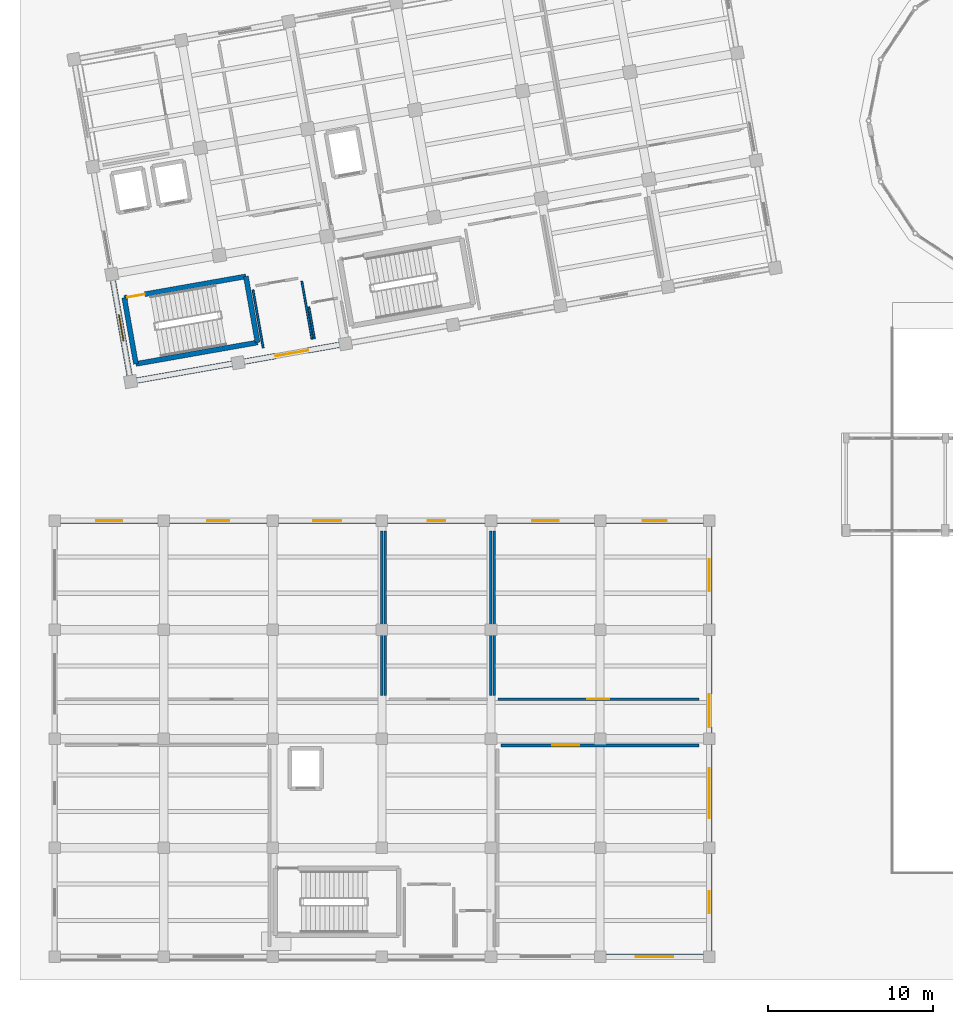
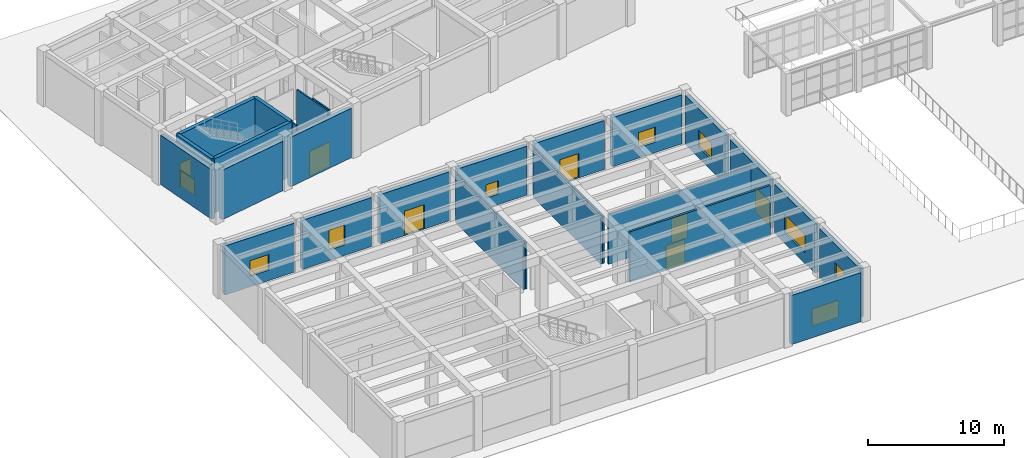
# One storey, part 42 of 57: 27 walls, 9 windows, 7 doors, 16 openings.
"""IFC4 building model written with IfcOpenShell, lengths in metres."""

from ifc_helpers import new_model, si_unit, direction, frame, frame_2d, origin, place, context, subcontext, project, spatial, rectangle, extrude, material, layer, layer_set, type_object, element, fill, save


model = new_model("IFC4")

# Units and contexts
model_context = context("Model", 3, precision=1e-05, world=origin(), true_north=direction((0.0, 1.0)))
body_context = subcontext(model_context, "Body", "Model", "MODEL_VIEW")
ifc_project = project(units=[si_unit("LENGTHUNIT", "METRE"), si_unit("AREAUNIT", "SQUARE_METRE"), si_unit("VOLUMEUNIT", "CUBIC_METRE"), si_unit("PLANEANGLEUNIT", "RADIAN"), si_unit("MASSUNIT", "GRAM", prefix="KILO")], contexts=[model_context])

# Site, building, storey
site_placement = place(None, origin())
site = spatial("IfcSite", under=ifc_project, at=site_placement, CompositionType="ELEMENT")
building_placement = place(site_placement, origin())
building = spatial("IfcBuilding", under=site, at=building_placement, Name="Kharisveld Research Institute", CompositionType="ELEMENT")
storey_placement = place(building_placement, origin())
storey = spatial("IfcBuildingStorey", under=building, at=storey_placement, Name="L00", CompositionType="ELEMENT", Elevation=0.0)

# Walls
ifc_material_1 = material(Name="Flush Pharmaceutical Panel", Category="mineral")
ifc_layer_1 = layer(ifc_material_1, 0.155029296875)
ifc_layer_set_1 = layer_set([ifc_layer_1], Name="WL_CLN_155")
wall_type_1 = type_object("IfcWallType", Name="WL_CLN_155", PredefinedType="PARTITIONING", material=ifc_layer_set_1)
for number, where, z_axis, x_axis, name in (
    (1, (20.39990234375, 16.02001953125, 0.0), (0.0, 0.0, 1.0), (0.0, 1.0, 0.0), "WL:RM:V3:L00:CR5:E"),
    (2, (27.0, 16.02001953125, 0.0), (0.0, 0.0, 1.0), (0.0, 1.0, 0.0), "WL:RM:V3:L00:GWN:E"),
    (3, (20.60009765625, 25.97998046875, 0.0), (0.0, 0.0, 1.0), (0.0, -1.0, 0.0), "WL:RM:V3:L00:GWN:W"),
):
    element("IfcWall", number, at=place(storey_placement, frame(where, z_axis=z_axis, x_axis=x_axis)), inside=storey, type_object=wall_type_1, Name=name, PredefinedType="PARTITIONING", context=body_context, shape_type="SweptSolid", body=[
        extrude(rectangle(XDim=9.9599609375, YDim=0.155029296875, at=frame_2d((4.97998046875, 0.0))), origin(), (0.0, 0.0, 1.0), 4.215087890625),
    ])

# Wall, opening, door
wall_1_placement = place(storey_placement, frame((27.419921875, 15.800048828125, 0.0), z_axis=(0.0, 0.0, 1.0), x_axis=(1.0, 0.0, 0.0)))
wall_1 = element("IfcWall", 4, at=wall_1_placement, inside=storey, type_object=wall_type_1, Name="WL:RM:V3:L00:CR6:S", PredefinedType="PARTITIONING", context=body_context, shape_type="SweptSolid", body=[
    extrude(rectangle(XDim=12.16015625, YDim=0.155029296875, at=frame_2d((6.080078125, 0.0))), origin(), (0.0, 0.0, 1.0), 4.465087890625),
])
opening_1_placement = place(wall_1_placement, frame((5.409912109375, 0.0, 0.0)))
opening_1 = element("IfcOpeningElement", 5, at=opening_1_placement, cuts=wall_1, Name="Opening DI-273", PredefinedType="OPENING", context=body_context, shape_type="SweptSolid", body=[
    extrude(rectangle(XDim=1.340087890625, YDim=2.199951171875, at=frame_2d((0.669921875, 1.10009765625))), frame((0.0, 0.07763671875, 0.0), z_axis=(0.0, -1.0, 0.0), x_axis=(1.0, 0.0, 0.0)), (0.0, 0.0, 1.0), 0.155029296875),
])
ifc_material_2 = material(Name="Flush Painted Hardwood and Anodised Aluminium", Category="wood")
door_type_1 = type_object("IfcDoorType", Name="DR_CLN_134", OperationType="SLIDING_TO_RIGHT", PredefinedType="DOOR", material=ifc_material_2)
door_1_placement = place(opening_1_placement, origin())
door_1 = element("IfcDoor", 6, at=door_1_placement, inside=storey, type_object=door_type_1, Name="DR:RM:V3:L00:CR6:S", OperationType="SLIDING_TO_RIGHT", OverallHeight=2.199951171875, OverallWidth=1.340087890625, PredefinedType="DOOR", context=body_context, shape_type="SweptSolid", body=[
    extrude(rectangle(XDim=1.340087890625, YDim=2.199951171875, at=frame_2d((0.669921875, 1.10009765625))), frame((0.0, 0.02490234375, 0.0), z_axis=(0.0, -1.0, 0.0), x_axis=(1.0, 0.0, 0.0)), (0.0, 0.0, 1.0), 0.050048828125),
])
fill(opening_1, door_1)

# Walls
wall_2_placement = place(storey_placement, frame((27.199951171875, 25.97998046875, 0.0), z_axis=(0.0, 0.0, 1.0), x_axis=(0.0, -1.0, 0.0)))
element("IfcWall", 7, at=wall_2_placement, inside=storey, type_object=wall_type_1, Name="WL:RM:V3:L00:CR6:W", PredefinedType="PARTITIONING", context=body_context, shape_type="SweptSolid", body=[
    extrude(rectangle(XDim=9.9599609375, YDim=0.155029296875, at=frame_2d((4.97998046875, 0.0))), origin(), (0.0, 0.0, 1.0), 4.215087890625),
])
ifc_material_3 = material(Name="Concrete C40/50", Category="concrete")
ifc_layer_2 = layer(ifc_material_3, 0.300048828125)
ifc_layer_set_2 = layer_set([ifc_layer_2], Name="WL_CORE_300")
wall_type_2 = type_object("IfcWallType", Name="WL_CORE_300", PredefinedType="SHEAR", material=ifc_layer_set_2)
wall_3_placement = place(storey_placement, frame((5.518798828125, 36.08154296875, 0.0), z_axis=(0.0, 0.0, 1.0), x_axis=(-0.173665267602, 0.984804739443, 0.0)))
element("IfcWall", 8, at=wall_3_placement, inside=storey, type_object=wall_type_2, Name="WL:STR:ST1:L00:W", PredefinedType="SHEAR", context=body_context, shape_type="SweptSolid", body=[
    extrude(rectangle(XDim=4.06005859375, YDim=0.300048828125, at=frame_2d((2.030029296875, 0.0))), origin(), (0.0, 0.0, 1.0), 4.8798828125),
])

# Wall, opening, door
wall_4_placement = place(storey_placement, frame((4.813720703125, 40.079833984375, 0.0), z_axis=(0.0, 0.0, 1.0), x_axis=(0.984802636214, 0.173677193974, 0.0)))
wall_4 = element("IfcWall", 9, at=wall_4_placement, inside=storey, type_object=wall_type_2, Name="WL:STR:ST1:L00:N", PredefinedType="SHEAR", context=body_context, shape_type="SweptSolid", body=[
    extrude(rectangle(XDim=7.469970703125, YDim=0.300048828125, at=frame_2d((3.73486328125, 0.0))), origin(), (0.0, 0.0, 1.0), 4.8798828125),
])
opening_2_placement = place(wall_4_placement, frame((0.179931640625, 0.0, 0.0)))
opening_2 = element("IfcOpeningElement", 10, at=opening_2_placement, cuts=wall_4, Name="Opening DS-002", PredefinedType="OPENING", context=body_context, shape_type="SweptSolid", body=[
    extrude(rectangle(XDim=1.080078125, YDim=2.14990234375, at=frame_2d((0.5400390625, 1.074951171875))), frame((0.0, 0.14990234375, 0.0), z_axis=(0.0, -1.0, 0.0), x_axis=(1.0, 0.0, 0.0)), (0.0, 0.0, 1.0), 0.300048828125),
])
ifc_material_4 = material(Name="Flush Painted Hardwood and Anodised Aluminium", Category="wood")
door_type_2 = type_object("IfcDoorType", Name="DR_FD60_108", OperationType="NOTDEFINED", PredefinedType="DOOR", material=ifc_material_4)
door_2_placement = place(opening_2_placement, origin())
door_2 = element("IfcDoor", 11, at=door_2_placement, inside=storey, type_object=door_type_2, Name="DR:STR:ST1:L00", OperationType="SINGLE_SWING_LEFT", OverallHeight=2.14990234375, OverallWidth=1.080078125, PredefinedType="DOOR", context=body_context, shape_type="SweptSolid", body=[
    extrude(rectangle(XDim=1.080078125, YDim=2.14990234375, at=frame_2d((0.5400390625, 1.074951171875))), frame((0.0, 0.02490234375, 0.0), z_axis=(0.0, -1.0, 0.0), x_axis=(1.0, 0.0, 0.0)), (0.0, 0.0, 1.0), 0.050048828125),
])
fill(opening_2, door_2)

# Walls
wall_5_placement = place(storey_placement, frame((12.170166015625, 41.377197265625, 0.0), z_axis=(0.0, 0.0, 1.0), x_axis=(0.173654983803, -0.984806552883, 0.0)))
element("IfcWall", 12, at=wall_5_placement, inside=storey, type_object=wall_type_2, Name="WL:STR:ST1:L00:E", PredefinedType="SHEAR", context=body_context, shape_type="SweptSolid", body=[
    extrude(rectangle(XDim=4.060302734375, YDim=0.300048828125, at=frame_2d((2.0302734375, 0.0))), origin(), (0.0, 0.0, 1.0), 4.8798828125),
])
wall_6_placement = place(storey_placement, frame((12.875244140625, 37.378662109375, 0.0), z_axis=(0.0, 0.0, 1.0), x_axis=(-0.984808225754, -0.173645496596, 0.0)))
element("IfcWall", 13, at=wall_6_placement, inside=storey, type_object=wall_type_2, Name="WL:STR:ST1:L00:S", PredefinedType="SHEAR", context=body_context, shape_type="SweptSolid", body=[
    extrude(rectangle(XDim=7.469970703125, YDim=0.300048828125, at=frame_2d((3.73486328125, 0.0))), origin(), (0.0, 0.0, 1.0), 4.8798828125),
])

# Wall, opening, window
ifc_material_5 = material(Name="Concrete C35/45", Category="concrete")
ifc_layer_3 = layer(ifc_material_5, 0.340087890625)
ifc_layer_set_3 = layer_set([ifc_layer_3], Name="WL_EXT_340")
wall_type_3 = type_object("IfcWallType", Name="WL_EXT_340", PredefinedType="SOLIDWALL", material=ifc_layer_set_3)
wall_7_placement = place(storey_placement, frame((5.1357421875, 35.374267578125, 0.0), z_axis=(0.0, 0.0, 1.0), x_axis=(-0.1736474839, 0.984807875342, 0.0)))
wall_7 = element("IfcWall", 14, at=wall_7_placement, inside=storey, type_object=wall_type_3, Name="WL:V1:L00:W0", PredefinedType="SOLIDWALL", context=body_context, shape_type="SweptSolid", body=[
    extrude(rectangle(XDim=5.860107421875, YDim=0.340087890625, at=frame_2d((2.93017578125, 0.0))), origin(), (0.0, 0.0, 1.0), 4.455078125),
])
opening_3_placement = place(wall_7_placement, frame((2.1298828125, 0.0, 0.949951171875)))
opening_3 = element("IfcOpeningElement", 15, at=opening_3_placement, cuts=wall_7, Name="Opening WN-08", PredefinedType="OPENING", context=body_context, shape_type="SweptSolid", body=[
    extrude(rectangle(XDim=1.60009765625, YDim=1.39990234375, at=frame_2d((0.800048828125, 0.699951171875))), frame((0.0, 0.169921875, 0.0), z_axis=(0.0, -1.0, 0.0), x_axis=(1.0, 0.0, 0.0)), (0.0, 0.0, 1.0), 0.340087890625),
])
ifc_material_6 = material(Name="Low-E Double Glazing", Category="glass")
window_type_1 = type_object("IfcWindowType", Name="WN_08", PartitioningType="DOUBLE_PANEL_VERTICAL", PredefinedType="WINDOW", material=ifc_material_6)
window_1_placement = place(opening_3_placement, origin())
window_1 = element("IfcWindow", 16, at=window_1_placement, inside=storey, type_object=window_type_1, Name="WN:V1:L00:W0", OverallHeight=1.39990234375, OverallWidth=1.60009765625, PartitioningType="SINGLE_PANEL", PredefinedType="WINDOW", context=body_context, shape_type="SweptSolid", body=[
    extrude(rectangle(XDim=1.60009765625, YDim=1.39990234375, at=frame_2d((0.800048828125, 0.699951171875))), frame((0.0, 0.030029296875, 0.0), z_axis=(0.0, -1.0, 0.0), x_axis=(1.0, 0.0, 0.0)), (0.0, 0.0, 1.0), 0.06005859375),
])
fill(opening_3, window_1)

# Wall, opening, door
wall_8_placement = place(storey_placement, frame((17.8349609375, 37.23779296875, 0.0), z_axis=(0.0, 0.0, 1.0), x_axis=(-0.98480661901, -0.173654608793, 0.0)))
wall_8 = element("IfcWall", 17, at=wall_8_placement, inside=storey, type_object=wall_type_3, Name="WL:V1:L00:S2", PredefinedType="SOLIDWALL", context=body_context, shape_type="SweptSolid", body=[
    extrude(rectangle(XDim=5.85986328125, YDim=0.340087890625, at=frame_2d((2.929931640625, 0.0))), origin(), (0.0, 0.0, 1.0), 4.455078125),
])
opening_4_placement = place(wall_8_placement, frame((1.929931640625, 0.0, 0.0)))
opening_4 = element("IfcOpeningElement", 18, at=opening_4_placement, cuts=wall_8, Name="Opening DE-006", PredefinedType="OPENING", context=body_context, shape_type="SweptSolid", body=[
    extrude(rectangle(XDim=2.0, YDim=2.25, at=frame_2d((1.0, 1.125))), frame((0.0, 0.169921875, 0.0), z_axis=(0.0, -1.0, 0.0), x_axis=(1.0, 0.0, 0.0)), (0.0, 0.0, 1.0), 0.340087890625),
])
ifc_material_7 = material(Name="Thermally Broken Powder-Coated Aluminium", Category="aluminium")
door_type_3 = type_object("IfcDoorType", Name="DR_EXT_200", OperationType="DOUBLE_DOOR_SINGLE_SWING", PredefinedType="DOOR", material=ifc_material_7)
door_3_placement = place(opening_4_placement, origin())
door_3 = element("IfcDoor", 19, at=door_3_placement, inside=storey, type_object=door_type_3, Name="DR:V1:L00:EXIT_S2", OperationType="DOUBLE_DOOR_SINGLE_SWING", OverallHeight=2.25, OverallWidth=2.0, PredefinedType="DOOR", context=body_context, shape_type="SweptSolid", body=[
    extrude(rectangle(XDim=2.0, YDim=2.25, at=frame_2d((1.0, 1.125))), frame((0.0, 0.02490234375, 0.0), z_axis=(0.0, -1.0, 0.0), x_axis=(1.0, 0.0, 0.0)), (0.0, 0.0, 1.0), 0.050048828125),
])
fill(opening_4, door_3)

# Wall
wall_9_placement = place(storey_placement, frame((11.33544921875, 36.091796875, 0.0), z_axis=(0.0, 0.0, 1.0), x_axis=(-0.984807875342, -0.1736474839, 0.0)))
element("IfcWall", 20, at=wall_9_placement, inside=storey, type_object=wall_type_3, Name="WL:V1:L00:S1", PredefinedType="SOLIDWALL", context=body_context, shape_type="SweptSolid", body=[
    extrude(rectangle(XDim=5.860107421875, YDim=0.340087890625, at=frame_2d((2.93017578125, 0.0))), origin(), (0.0, 0.0, 1.0), 4.455078125),
])

# Wall, opening, window
wall_10_placement = place(storey_placement, frame((0.945068359375, 26.60009765625, 0.0), z_axis=(0.0, 0.0, 1.0), x_axis=(1.0, 0.0, 0.0)))
wall_10 = element("IfcWall", 21, at=wall_10_placement, inside=storey, type_object=wall_type_3, Name="WL:V3:L00:N0", PredefinedType="SOLIDWALL", context=body_context, shape_type="SweptSolid", body=[
    extrude(rectangle(XDim=5.909912109375, YDim=0.340087890625, at=frame_2d((2.955078125, 0.0))), origin(), (0.0, 0.0, 1.0), 4.4150390625),
])
opening_5_placement = place(wall_10_placement, frame((2.155029296875, 0.0, 0.949951171875)))
opening_5 = element("IfcOpeningElement", 22, at=opening_5_placement, cuts=wall_10, Name="Opening WN-08", PredefinedType="OPENING", context=body_context, shape_type="SweptSolid", body=[
    extrude(rectangle(XDim=1.60009765625, YDim=1.39990234375, at=frame_2d((0.800048828125, 0.699951171875))), frame((0.0, 0.169921875, 0.0), z_axis=(0.0, -1.0, 0.0), x_axis=(1.0, 0.0, 0.0)), (0.0, 0.0, 1.0), 0.340087890625),
])
window_2_placement = place(opening_5_placement, origin())
window_2 = element("IfcWindow", 23, at=window_2_placement, inside=storey, type_object=window_type_1, Name="WN:V3:L00:N0", OverallHeight=1.39990234375, OverallWidth=1.60009765625, PartitioningType="SINGLE_PANEL", PredefinedType="WINDOW", context=body_context, shape_type="SweptSolid", body=[
    extrude(rectangle(XDim=1.60009765625, YDim=1.39990234375, at=frame_2d((0.800048828125, 0.699951171875))), frame((0.0, 0.030029296875, 0.0), z_axis=(0.0, -1.0, 0.0), x_axis=(1.0, 0.0, 0.0)), (0.0, 0.0, 1.0), 0.06005859375),
])
fill(opening_5, window_2)

wall_11_placement = place(storey_placement, frame((7.544921875, 26.60009765625, 0.0), z_axis=(0.0, 0.0, 1.0), x_axis=(1.0, 0.0, 0.0)))
wall_11 = element("IfcWall", 24, at=wall_11_placement, inside=storey, type_object=wall_type_3, Name="WL:V3:L00:N1", PredefinedType="SOLIDWALL", context=body_context, shape_type="SweptSolid", body=[
    extrude(rectangle(XDim=5.91015625, YDim=0.340087890625, at=frame_2d((2.955078125, 0.0))), origin(), (0.0, 0.0, 1.0), 4.4150390625),
])
opening_6_placement = place(wall_11_placement, frame((2.280029296875, 0.0, 0.949951171875)))
opening_6 = element("IfcOpeningElement", 25, at=opening_6_placement, cuts=wall_11, Name="Opening WN-09", PredefinedType="OPENING", context=body_context, shape_type="SweptSolid", body=[
    extrude(rectangle(XDim=1.35009765625, YDim=1.800048828125, at=frame_2d((0.675048828125, 0.89990234375))), frame((0.0, 0.169921875, 0.0), z_axis=(0.0, -1.0, 0.0), x_axis=(1.0, 0.0, 0.0)), (0.0, 0.0, 1.0), 0.340087890625),
])
ifc_material_8 = material(Name="Low-E Double Glazing", Category="glass")
window_type_2 = type_object("IfcWindowType", Name="WN_09", PartitioningType="SINGLE_PANEL", PredefinedType="WINDOW", material=ifc_material_8)
window_3_placement = place(opening_6_placement, origin())
window_3 = element("IfcWindow", 26, at=window_3_placement, inside=storey, type_object=window_type_2, Name="WN:V3:L00:N1", OverallHeight=1.800048828125, OverallWidth=1.35009765625, PartitioningType="SINGLE_PANEL", PredefinedType="WINDOW", context=body_context, shape_type="SweptSolid", body=[
    extrude(rectangle(XDim=1.35009765625, YDim=1.800048828125, at=frame_2d((0.675048828125, 0.89990234375))), frame((0.0, 0.030029296875, 0.0), z_axis=(0.0, -1.0, 0.0), x_axis=(1.0, 0.0, 0.0)), (0.0, 0.0, 1.0), 0.06005859375),
])
fill(opening_6, window_3)

# Wall, opening, door
wall_12_placement = place(storey_placement, frame((14.14501953125, 26.60009765625, 0.0), z_axis=(0.0, 0.0, 1.0), x_axis=(1.0, 0.0, 0.0)))
wall_12 = element("IfcWall", 27, at=wall_12_placement, inside=storey, type_object=wall_type_3, Name="WL:V3:L00:N2", PredefinedType="SOLIDWALL", context=body_context, shape_type="SweptSolid", body=[
    extrude(rectangle(XDim=5.909912109375, YDim=0.340087890625, at=frame_2d((2.955078125, 0.0))), origin(), (0.0, 0.0, 1.0), 4.4150390625),
])
opening_7_placement = place(wall_12_placement, frame((2.10498046875, 0.0, 0.0)))
opening_7 = element("IfcOpeningElement", 28, at=opening_7_placement, cuts=wall_12, Name="Opening DE-014", PredefinedType="OPENING", context=body_context, shape_type="SweptSolid", body=[
    extrude(rectangle(XDim=1.699951171875, YDim=2.199951171875, at=frame_2d((0.85009765625, 1.10009765625))), frame((0.0, 0.169921875, 0.0), z_axis=(0.0, -1.0, 0.0), x_axis=(1.0, 0.0, 0.0)), (0.0, 0.0, 1.0), 0.340087890625),
])
ifc_material_9 = material(Name="Thermally Broken Powder-Coated Aluminium", Category="aluminium")
door_type_4 = type_object("IfcDoorType", Name="DR_EXT_170", OperationType="DOUBLE_DOOR_SINGLE_SWING", PredefinedType="DOOR", material=ifc_material_9)
door_4_placement = place(opening_7_placement, origin())
door_4 = element("IfcDoor", 29, at=door_4_placement, inside=storey, type_object=door_type_4, Name="DR:V3:L00:EXIT_N2", OperationType="DOUBLE_DOOR_SINGLE_SWING", OverallHeight=2.199951171875, OverallWidth=1.699951171875, PredefinedType="DOOR", context=body_context, shape_type="SweptSolid", body=[
    extrude(rectangle(XDim=1.699951171875, YDim=2.199951171875, at=frame_2d((0.85009765625, 1.10009765625))), frame((0.0, 0.02490234375, 0.0), z_axis=(0.0, -1.0, 0.0), x_axis=(1.0, 0.0, 0.0)), (0.0, 0.0, 1.0), 0.050048828125),
])
fill(opening_7, door_4)

# Wall, opening, window
wall_13_placement = place(storey_placement, frame((20.7451171875, 26.60009765625, 0.0), z_axis=(0.0, 0.0, 1.0), x_axis=(1.0, 0.0, 0.0)))
wall_13 = element("IfcWall", 30, at=wall_13_placement, inside=storey, type_object=wall_type_3, Name="WL:V3:L00:N3", PredefinedType="SOLIDWALL", context=body_context, shape_type="SweptSolid", body=[
    extrude(rectangle(XDim=5.909912109375, YDim=0.340087890625, at=frame_2d((2.955078125, 0.0))), origin(), (0.0, 0.0, 1.0), 4.4150390625),
])
opening_8_placement = place(wall_13_placement, frame((2.429931640625, 0.0, 0.949951171875)))
opening_8 = element("IfcOpeningElement", 31, at=opening_8_placement, cuts=wall_13, Name="Opening WN-11", PredefinedType="OPENING", context=body_context, shape_type="SweptSolid", body=[
    extrude(rectangle(XDim=1.050048828125, YDim=1.199951171875, at=frame_2d((0.52490234375, 0.60009765625))), frame((0.0, 0.169921875, 0.0), z_axis=(0.0, -1.0, 0.0), x_axis=(1.0, 0.0, 0.0)), (0.0, 0.0, 1.0), 0.340087890625),
])
ifc_material_10 = material(Name="Low-E Double Glazing", Category="glass")
window_type_3 = type_object("IfcWindowType", Name="WN_11", PartitioningType="SINGLE_PANEL", PredefinedType="WINDOW", material=ifc_material_10)
window_4_placement = place(opening_8_placement, origin())
window_4 = element("IfcWindow", 32, at=window_4_placement, inside=storey, type_object=window_type_3, Name="WN:V3:L00:N3", OverallHeight=1.199951171875, OverallWidth=1.050048828125, PartitioningType="SINGLE_PANEL", PredefinedType="WINDOW", context=body_context, shape_type="SweptSolid", body=[
    extrude(rectangle(XDim=1.050048828125, YDim=1.199951171875, at=frame_2d((0.52490234375, 0.60009765625))), frame((0.0, 0.030029296875, 0.0), z_axis=(0.0, -1.0, 0.0), x_axis=(1.0, 0.0, 0.0)), (0.0, 0.0, 1.0), 0.06005859375),
])
fill(opening_8, window_4)

# Wall, opening, door
wall_14_placement = place(storey_placement, frame((27.344970703125, 26.60009765625, 0.0), z_axis=(0.0, 0.0, 1.0), x_axis=(1.0, 0.0, 0.0)))
wall_14 = element("IfcWall", 33, at=wall_14_placement, inside=storey, type_object=wall_type_3, Name="WL:V3:L00:N4", PredefinedType="SOLIDWALL", context=body_context, shape_type="SweptSolid", body=[
    extrude(rectangle(XDim=5.909912109375, YDim=0.340087890625, at=frame_2d((2.955078125, 0.0))), origin(), (0.0, 0.0, 1.0), 4.4150390625),
])
opening_9_placement = place(wall_14_placement, frame((2.155029296875, 0.0, 0.0)))
opening_9 = element("IfcOpeningElement", 34, at=opening_9_placement, cuts=wall_14, Name="Opening DE-015", PredefinedType="OPENING", context=body_context, shape_type="SweptSolid", body=[
    extrude(rectangle(XDim=1.60009765625, YDim=2.199951171875, at=frame_2d((0.800048828125, 1.10009765625))), frame((0.0, 0.169921875, 0.0), z_axis=(0.0, -1.0, 0.0), x_axis=(1.0, 0.0, 0.0)), (0.0, 0.0, 1.0), 0.340087890625),
])
ifc_material_11 = material(Name="Thermally Broken Powder-Coated Aluminium", Category="aluminium")
door_type_5 = type_object("IfcDoorType", Name="DR_EXT_160", OperationType="DOUBLE_DOOR_SINGLE_SWING", PredefinedType="DOOR", material=ifc_material_11)
door_5_placement = place(opening_9_placement, origin())
door_5 = element("IfcDoor", 35, at=door_5_placement, inside=storey, type_object=door_type_5, Name="DR:V3:L00:EXIT_N4", OperationType="DOUBLE_DOOR_SINGLE_SWING", OverallHeight=2.199951171875, OverallWidth=1.60009765625, PredefinedType="DOOR", context=body_context, shape_type="SweptSolid", body=[
    extrude(rectangle(XDim=1.60009765625, YDim=2.199951171875, at=frame_2d((0.800048828125, 1.10009765625))), frame((0.0, 0.02490234375, 0.0), z_axis=(0.0, -1.0, 0.0), x_axis=(1.0, 0.0, 0.0)), (0.0, 0.0, 1.0), 0.050048828125),
])
fill(opening_9, door_5)

# Wall, opening, window
wall_15_placement = place(storey_placement, frame((33.945068359375, 26.60009765625, 0.0), z_axis=(0.0, 0.0, 1.0), x_axis=(1.0, 0.0, 0.0)))
wall_15 = element("IfcWall", 36, at=wall_15_placement, inside=storey, type_object=wall_type_3, Name="WL:V3:L00:N5", PredefinedType="SOLIDWALL", context=body_context, shape_type="SweptSolid", body=[
    extrude(rectangle(XDim=5.909912109375, YDim=0.340087890625, at=frame_2d((2.955078125, 0.0))), origin(), (0.0, 0.0, 1.0), 4.4150390625),
])
opening_10_placement = place(wall_15_placement, frame((2.22998046875, 0.0, 0.949951171875)))
opening_10 = element("IfcOpeningElement", 37, at=opening_10_placement, cuts=wall_15, Name="Opening WN-13", PredefinedType="OPENING", context=body_context, shape_type="SweptSolid", body=[
    extrude(rectangle(XDim=1.449951171875, YDim=1.35009765625, at=frame_2d((0.72509765625, 0.675048828125))), frame((0.0, 0.169921875, 0.0), z_axis=(0.0, -1.0, 0.0), x_axis=(1.0, 0.0, 0.0)), (0.0, 0.0, 1.0), 0.340087890625),
])
ifc_material_12 = material(Name="Low-E Double Glazing", Category="glass")
window_type_4 = type_object("IfcWindowType", Name="WN_13", PartitioningType="DOUBLE_PANEL_VERTICAL", PredefinedType="WINDOW", material=ifc_material_12)
window_5_placement = place(opening_10_placement, origin())
window_5 = element("IfcWindow", 38, at=window_5_placement, inside=storey, type_object=window_type_4, Name="WN:V3:L00:N5", OverallHeight=1.35009765625, OverallWidth=1.449951171875, PartitioningType="SINGLE_PANEL", PredefinedType="WINDOW", context=body_context, shape_type="SweptSolid", body=[
    extrude(rectangle(XDim=1.449951171875, YDim=1.35009765625, at=frame_2d((0.72509765625, 0.675048828125))), frame((0.0, 0.030029296875, 0.0), z_axis=(0.0, -1.0, 0.0), x_axis=(1.0, 0.0, 0.0)), (0.0, 0.0, 1.0), 0.06005859375),
])
fill(opening_10, window_5)

wall_16_placement = place(storey_placement, frame((40.199951171875, 26.2548828125, 0.0), z_axis=(0.0, 0.0, 1.0), x_axis=(0.0, -1.0, 0.0)))
wall_16 = element("IfcWall", 39, at=wall_16_placement, inside=storey, type_object=wall_type_3, Name="WL:V3:L00:E4", PredefinedType="SOLIDWALL", context=body_context, shape_type="SweptSolid", body=[
    extrude(rectangle(XDim=5.909912109375, YDim=0.340087890625, at=frame_2d((2.955078125, 0.0))), origin(), (0.0, 0.0, 1.0), 4.4150390625),
])
opening_11_placement = place(wall_16_placement, frame((1.97998046875, 0.0, 0.949951171875)))
opening_11 = element("IfcOpeningElement", 40, at=opening_11_placement, cuts=wall_16, Name="Opening WN-12", PredefinedType="OPENING", context=body_context, shape_type="SweptSolid", body=[
    extrude(rectangle(XDim=1.949951171875, YDim=1.5, at=frame_2d((0.97509765625, 0.75))), frame((0.0, 0.169921875, 0.0), z_axis=(0.0, -1.0, 0.0), x_axis=(1.0, 0.0, 0.0)), (0.0, 0.0, 1.0), 0.340087890625),
])
ifc_material_13 = material(Name="Low-E Double Glazing", Category="glass")
window_type_5 = type_object("IfcWindowType", Name="WN_12", PartitioningType="DOUBLE_PANEL_VERTICAL", PredefinedType="WINDOW", material=ifc_material_13)
window_6_placement = place(opening_11_placement, origin())
window_6 = element("IfcWindow", 41, at=window_6_placement, inside=storey, type_object=window_type_5, Name="WN:V3:L00:E4", OverallHeight=1.5, OverallWidth=1.949951171875, PartitioningType="SINGLE_PANEL", PredefinedType="WINDOW", context=body_context, shape_type="SweptSolid", body=[
    extrude(rectangle(XDim=1.949951171875, YDim=1.5, at=frame_2d((0.97509765625, 0.75))), frame((0.0, 0.030029296875, 0.0), z_axis=(0.0, -1.0, 0.0), x_axis=(1.0, 0.0, 0.0)), (0.0, 0.0, 1.0), 0.06005859375),
])
fill(opening_11, window_6)

# Wall, opening, door
wall_17_placement = place(storey_placement, frame((40.199951171875, 19.655029296875, 0.0), z_axis=(0.0, 0.0, 1.0), x_axis=(0.0, -1.0, 0.0)))
wall_17 = element("IfcWall", 42, at=wall_17_placement, inside=storey, type_object=wall_type_3, Name="WL:V3:L00:E3", PredefinedType="SOLIDWALL", context=body_context, shape_type="SweptSolid", body=[
    extrude(rectangle(XDim=5.909912109375, YDim=0.340087890625, at=frame_2d((2.955078125, 0.0))), origin(), (0.0, 0.0, 1.0), 4.4150390625),
])
opening_12_placement = place(wall_17_placement, frame((3.56005859375, 0.0, 0.0)))
opening_12 = element("IfcOpeningElement", 43, at=opening_12_placement, cuts=wall_17, Name="Opening DE-016", PredefinedType="OPENING", context=body_context, shape_type="SweptSolid", body=[
    extrude(rectangle(XDim=2.0, YDim=2.25, at=frame_2d((1.0, 1.125))), frame((0.0, 0.169921875, 0.0), z_axis=(0.0, -1.0, 0.0), x_axis=(1.0, 0.0, 0.0)), (0.0, 0.0, 1.0), 0.340087890625),
])
door_6_placement = place(opening_12_placement, origin())
door_6 = element("IfcDoor", 44, at=door_6_placement, inside=storey, type_object=door_type_3, Name="DR:V3:L00:EXIT_E3", OperationType="DOUBLE_DOOR_SINGLE_SWING", OverallHeight=2.25, OverallWidth=2.0, PredefinedType="DOOR", context=body_context, shape_type="SweptSolid", body=[
    extrude(rectangle(XDim=2.0, YDim=2.25, at=frame_2d((1.0, 1.125))), frame((0.0, 0.02490234375, 0.0), z_axis=(0.0, -1.0, 0.0), x_axis=(1.0, 0.0, 0.0)), (0.0, 0.0, 1.0), 0.050048828125),
])
fill(opening_12, door_6)

# Wall, opening, window
wall_18_placement = place(storey_placement, frame((40.199951171875, 13.054931640625, 0.0), z_axis=(0.0, 0.0, 1.0), x_axis=(0.0, -1.0, 0.0)))
wall_18 = element("IfcWall", 45, at=wall_18_placement, inside=storey, type_object=wall_type_3, Name="WL:V3:L00:E2", PredefinedType="SOLIDWALL", context=body_context, shape_type="SweptSolid", body=[
    extrude(rectangle(XDim=5.909912109375, YDim=0.340087890625, at=frame_2d((2.955078125, 0.0))), origin(), (0.0, 0.0, 1.0), 4.4150390625),
])
opening_13_placement = place(wall_18_placement, frame((1.455078125, 0.0, 0.949951171875)))
opening_13 = element("IfcOpeningElement", 46, at=opening_13_placement, cuts=wall_18, Name="Opening WN-10", PredefinedType="OPENING", context=body_context, shape_type="SweptSolid", body=[
    extrude(rectangle(XDim=3.0, YDim=1.64990234375, at=frame_2d((1.5, 0.824951171875))), frame((0.0, 0.169921875, 0.0), z_axis=(0.0, -1.0, 0.0), x_axis=(1.0, 0.0, 0.0)), (0.0, 0.0, 1.0), 0.340087890625),
])
ifc_material_14 = material(Name="Low-E Double Glazing", Category="glass")
window_type_6 = type_object("IfcWindowType", Name="WN_10", PartitioningType="TRIPLE_PANEL_VERTICAL", PredefinedType="WINDOW", material=ifc_material_14)
window_7_placement = place(opening_13_placement, origin())
window_7 = element("IfcWindow", 47, at=window_7_placement, inside=storey, type_object=window_type_6, Name="WN:V3:L00:E2", OverallHeight=1.64990234375, OverallWidth=3.0, PartitioningType="SINGLE_PANEL", PredefinedType="WINDOW", context=body_context, shape_type="SweptSolid", body=[
    extrude(rectangle(XDim=3.0, YDim=1.64990234375, at=frame_2d((1.5, 0.824951171875))), frame((0.0, 0.030029296875, 0.0), z_axis=(0.0, -1.0, 0.0), x_axis=(1.0, 0.0, 0.0)), (0.0, 0.0, 1.0), 0.06005859375),
])
fill(opening_13, window_7)

wall_19_placement = place(storey_placement, frame((40.199951171875, 6.455078125, 0.0), z_axis=(0.0, 0.0, 1.0), x_axis=(0.0, -1.0, 0.0)))
wall_19 = element("IfcWall", 48, at=wall_19_placement, inside=storey, type_object=wall_type_3, Name="WL:V3:L00:E1", PredefinedType="SOLIDWALL", context=body_context, shape_type="SweptSolid", body=[
    extrude(rectangle(XDim=5.91015625, YDim=0.340087890625, at=frame_2d((2.955078125, 0.0))), origin(), (0.0, 0.0, 1.0), 4.4150390625),
])
opening_14_placement = place(wall_19_placement, frame((2.280029296875, 0.0, 0.949951171875)))
opening_14 = element("IfcOpeningElement", 49, at=opening_14_placement, cuts=wall_19, Name="Opening WN-09", PredefinedType="OPENING", context=body_context, shape_type="SweptSolid", body=[
    extrude(rectangle(XDim=1.35009765625, YDim=1.800048828125, at=frame_2d((0.675048828125, 0.89990234375))), frame((0.0, 0.169921875, 0.0), z_axis=(0.0, -1.0, 0.0), x_axis=(1.0, 0.0, 0.0)), (0.0, 0.0, 1.0), 0.340087890625),
])
window_8_placement = place(opening_14_placement, origin())
window_8 = element("IfcWindow", 50, at=window_8_placement, inside=storey, type_object=window_type_2, Name="WN:V3:L00:E1", OverallHeight=1.800048828125, OverallWidth=1.35009765625, PartitioningType="SINGLE_PANEL", PredefinedType="WINDOW", context=body_context, shape_type="SweptSolid", body=[
    extrude(rectangle(XDim=1.35009765625, YDim=1.800048828125, at=frame_2d((0.675048828125, 0.89990234375))), frame((0.0, 0.030029296875, 0.0), z_axis=(0.0, -1.0, 0.0), x_axis=(1.0, 0.0, 0.0)), (0.0, 0.0, 1.0), 0.06005859375),
])
fill(opening_14, window_8)

wall_20_placement = place(storey_placement, frame((39.85498046875, 0.199951171875, 0.0), z_axis=(0.0, 0.0, 1.0), x_axis=(-1.0, 0.0, 0.0)))
wall_20 = element("IfcWall", 51, at=wall_20_placement, inside=storey, type_object=wall_type_3, Name="WL:V3:L00:S6", PredefinedType="SOLIDWALL", context=body_context, shape_type="SweptSolid", body=[
    extrude(rectangle(XDim=5.909912109375, YDim=0.340087890625, at=frame_2d((2.955078125, 0.0))), origin(), (0.0, 0.0, 1.0), 4.4150390625),
])
opening_15_placement = place(wall_20_placement, frame((1.830078125, 0.0, 0.949951171875)))
opening_15 = element("IfcOpeningElement", 52, at=opening_15_placement, cuts=wall_20, Name="Opening WN-14", PredefinedType="OPENING", context=body_context, shape_type="SweptSolid", body=[
    extrude(rectangle(XDim=2.25, YDim=1.550048828125, at=frame_2d((1.125, 0.77490234375))), frame((0.0, 0.169921875, 0.0), z_axis=(0.0, -1.0, 0.0), x_axis=(1.0, 0.0, 0.0)), (0.0, 0.0, 1.0), 0.340087890625),
])
ifc_material_15 = material(Name="Low-E Double Glazing", Category="glass")
window_type_7 = type_object("IfcWindowType", Name="WN_14", PartitioningType="DOUBLE_PANEL_VERTICAL", PredefinedType="WINDOW", material=ifc_material_15)
window_9_placement = place(opening_15_placement, origin())
window_9 = element("IfcWindow", 53, at=window_9_placement, inside=storey, type_object=window_type_7, Name="WN:V3:L00:S6", OverallHeight=1.550048828125, OverallWidth=2.25, PartitioningType="SINGLE_PANEL", PredefinedType="WINDOW", context=body_context, shape_type="SweptSolid", body=[
    extrude(rectangle(XDim=2.25, YDim=1.550048828125, at=frame_2d((1.125, 0.77490234375))), frame((0.0, 0.030029296875, 0.0), z_axis=(0.0, -1.0, 0.0), x_axis=(1.0, 0.0, 0.0)), (0.0, 0.0, 1.0), 0.06005859375),
])
fill(opening_15, window_9)

# Wall, opening, door
ifc_material_16 = material(Name="Masonry Blockwork", Category="masonry")
ifc_layer_4 = layer(ifc_material_16, 0.175048828125)
ifc_layer_set_4 = layer_set([ifc_layer_4], Name="WL_STR_175")
wall_type_4 = type_object("IfcWallType", Name="WL_STR_175", PredefinedType="SOLIDWALL", material=ifc_layer_set_4)
wall_21_placement = place(storey_placement, frame((39.580078125, 13.0, 0.0), z_axis=(0.0, 0.0, 1.0), x_axis=(-1.0, 0.0, 0.0)))
wall_21 = element("IfcWall", 54, at=wall_21_placement, inside=storey, type_object=wall_type_4, Name="WL:RM:V3:L00:STR0:N", PredefinedType="SOLIDWALL", context=body_context, shape_type="SweptSolid", body=[
    extrude(rectangle(XDim=11.9599609375, YDim=0.175048828125, at=frame_2d((5.97998046875, 0.0))), origin(), (0.0, 0.0, 1.0), 4.550048828125),
])
opening_16_placement = place(wall_21_placement, frame((7.22412109375, 0.0, 0.0)))
opening_16 = element("IfcOpeningElement", 55, at=opening_16_placement, cuts=wall_21, Name="Opening DI-275", PredefinedType="OPENING", context=body_context, shape_type="SweptSolid", body=[
    extrude(rectangle(XDim=1.639892578125, YDim=2.199951171875, at=frame_2d((0.81982421875, 1.10009765625))), frame((0.0, 0.08740234375, 0.0), z_axis=(0.0, -1.0, 0.0), x_axis=(1.0, 0.0, 0.0)), (0.0, 0.0, 1.0), 0.175048828125),
])
ifc_material_17 = material(Name="Flush Painted Hardwood and Anodised Aluminium", Category="wood")
door_type_6 = type_object("IfcDoorType", Name="DR_FD60_164", OperationType="DOUBLE_DOOR_SINGLE_SWING", PredefinedType="DOOR", material=ifc_material_17)
door_7_placement = place(opening_16_placement, origin())
door_7 = element("IfcDoor", 56, at=door_7_placement, inside=storey, type_object=door_type_6, Name="DR:RM:V3:L00:STR0:N", OperationType="DOUBLE_DOOR_SINGLE_SWING", OverallHeight=2.199951171875, OverallWidth=1.639892578125, PredefinedType="DOOR", context=body_context, shape_type="SweptSolid", body=[
    extrude(rectangle(XDim=1.639892578125, YDim=2.199951171875, at=frame_2d((0.81982421875, 1.10009765625))), frame((0.0, 0.02490234375, 0.0), z_axis=(0.0, -1.0, 0.0), x_axis=(1.0, 0.0, 0.0)), (0.0, 0.0, 1.0), 0.050048828125),
])
fill(opening_16, door_7)

# Walls
ifc_material_18 = material(Name="Moisture-Resistant Partition", Category="mineral")
ifc_layer_5 = layer(ifc_material_18, 0.114990234375)
ifc_layer_set_5 = layer_set([ifc_layer_5], Name="WL_WC_115")
wall_type_5 = type_object("IfcWallType", Name="WL_WC_115", PredefinedType="PARTITIONING", material=ifc_layer_set_5)
for number, where, z_axis, x_axis, name in (
    (57, (16.17138671875, 37.57421875, 0.0), (0.0, 0.0, 1.0), (-0.173644490041, 0.984808403233, 0.0), "WL:RM:V1:L00:WCM:E"),
    (58, (12.598876953125, 40.55908203125, 0.0), (0.0, 0.0, 1.0), (0.173644490041, -0.984808403233, 0.0), "WL:RM:V1:L00:WCM:W"),
):
    element("IfcWall", number, at=place(storey_placement, frame(where, z_axis=z_axis, x_axis=x_axis)), inside=storey, type_object=wall_type_5, Name=name, PredefinedType="PARTITIONING", context=body_context, shape_type="SweptSolid", body=[
        extrude(rectangle(XDim=3.56005859375, YDim=0.114990234375, at=frame_2d((1.780029296875, 0.0))), origin(), (0.0, 0.0, 1.0), 4.550048828125),
    ])
wall_22_placement = place(storey_placement, frame((15.978759765625, 39.5302734375, 0.0), z_axis=(0.0, 0.0, 1.0), x_axis=(0.173643211285, -0.984808628706, 0.0)))
element("IfcWall", 59, at=wall_22_placement, inside=storey, type_object=wall_type_5, Name="WL:RM:V1:L00:WCA:W", PredefinedType="PARTITIONING", context=body_context, shape_type="SweptSolid", body=[
    extrude(rectangle(XDim=1.9599609375, YDim=0.114990234375, at=frame_2d((0.97998046875, 0.0))), origin(), (0.0, 0.0, 1.0), 4.550048828125),
])

save(model, "model.ifc")
